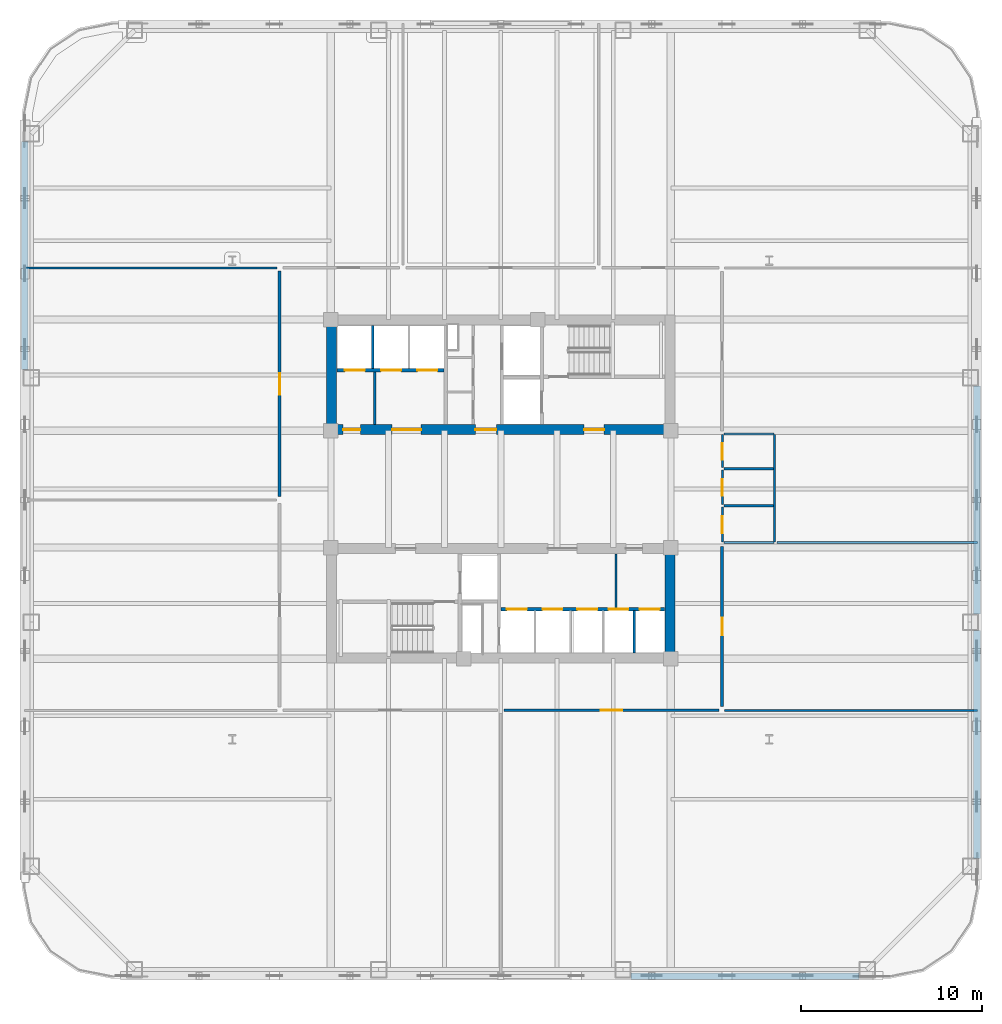
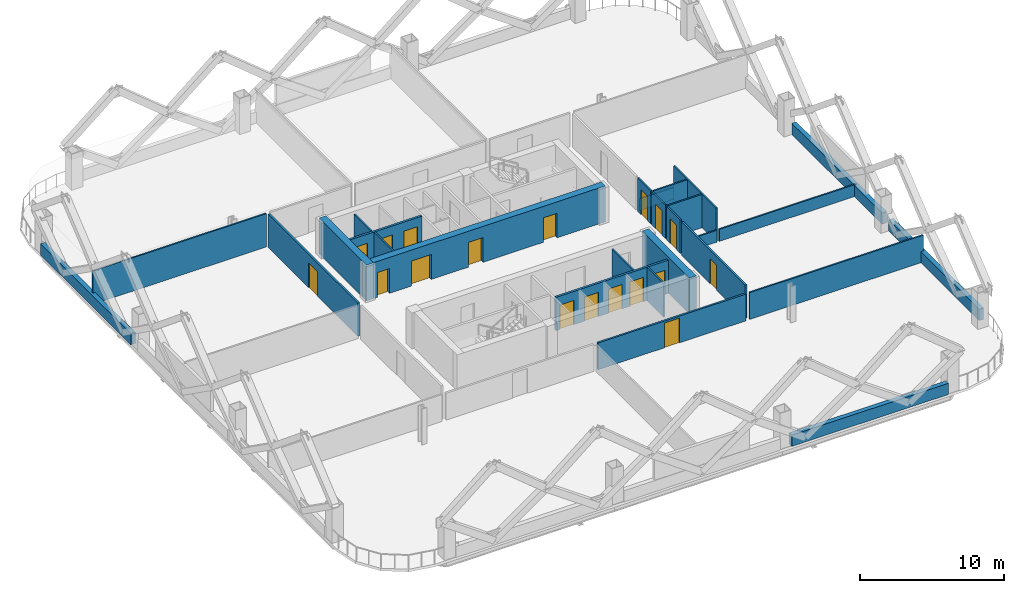
# One storey, part 5 of 12: 27 walls, 18 doors, 18 openings.
"""IFC4 building model written with IfcOpenShell, lengths in metres."""

import ifcopenshell
import ifcopenshell.guid

model = None  # the IFC model being written
_history = None  # IfcOwnerHistory: only IFC2X3 demands one
_inside = {}  # id of a spatial element -> (the spatial element, [elements in it])
_under = {}  # id of a project, library or spatial element -> (it, [spatial elements below it])
_declared = {}  # id of a project -> (the project, [libraries it declares])
_typed = {}  # id of a type object -> (the type object, [elements of that type])
_made_of = {}  # id of a material, layer set ... -> (it, [elements and type objects made of it])


def new_model(schema):
    """Start an empty IFC model of exactly this schema.

    Asked for "IFC4X3", IfcOpenShell would pick the latest addendum, in which some entities
    have other attributes; the version numbers below select the first issue.
    IFC2X3 requires an IfcOwnerHistory on every rooted entity: one is made here for all.
    """
    global model, _history
    if schema == "IFC4X3":
        model = ifcopenshell.file(schema_version=(4, 3, 0, 0))
    else:
        model = ifcopenshell.file(schema=schema)
    _inside.clear()
    _under.clear()
    _declared.clear()
    _typed.clear()
    _made_of.clear()
    _history = None
    if model.schema == "IFC2X3":
        org = make("IfcOrganization", Name="unknown")
        user = make(
            "IfcPersonAndOrganization",
            ThePerson=make("IfcPerson", FamilyName="unknown"),
            TheOrganization=org,
        )
        app = make(
            "IfcApplication",
            ApplicationDeveloper=org,
            Version="unknown",
            ApplicationFullName="unknown",
            ApplicationIdentifier="unknown",
        )
        _history = make(
            "IfcOwnerHistory",
            OwningUser=user,
            OwningApplication=app,
            ChangeAction="ADDED",
            CreationDate=0,
        )
    return model


def make(cls, **values):
    """One entity of the class cls with the attributes given. An attribute that is None is left unset."""
    return model.create_entity(
        cls, **{name: value for name, value in values.items() if value is not None}
    )


def rooted(cls, **values):
    """An entity with a GlobalId (a new one), such as an element, a storey or a relation."""
    return make(cls, GlobalId=ifcopenshell.guid.new(), OwnerHistory=_history, **values)


def si_unit(unit_type, name, prefix=None):
    """IfcSIUnit, for example si_unit("LENGTHUNIT", "METRE", prefix="MILLI")."""
    return make("IfcSIUnit", UnitType=unit_type, Prefix=prefix, Name=name)


def assignment(units):
    """IfcUnitAssignment: the units of a project."""
    return None if units is None else make("IfcUnitAssignment", Units=units)


def point(xyz):
    """IfcCartesianPoint."""
    return None if xyz is None else make("IfcCartesianPoint", Coordinates=xyz)


def direction(xyz):
    """IfcDirection."""
    return None if xyz is None else make("IfcDirection", DirectionRatios=xyz)


def frame(location, z_axis=None, x_axis=None):
    """IfcAxis2Placement3D, a coordinate frame: its origin and axes. An axis left out is left unset."""
    return make(
        "IfcAxis2Placement3D",
        Location=point(location),
        Axis=direction(z_axis),
        RefDirection=direction(x_axis),
    )


def frame_2d(location, x_axis=None):
    """IfcAxis2Placement2D, a coordinate frame in the plane: its origin and x axis."""
    return make(
        "IfcAxis2Placement2D", Location=point(location), RefDirection=direction(x_axis)
    )


def origin():
    """The frame at (0, 0, 0) with its axes left unset."""
    return frame((0.0, 0.0, 0.0))


def place(relative_to, where):
    """IfcLocalPlacement: puts the frame where relative to a parent placement (None: the world)."""
    return make(
        "IfcLocalPlacement", PlacementRelTo=relative_to, RelativePlacement=where
    )


def context(
    kind, dimensions, precision=None, world=None, true_north=None, identifier=None
):
    """IfcGeometricRepresentationContext, for example the 3D "Model" context."""
    return make(
        "IfcGeometricRepresentationContext",
        ContextIdentifier=identifier,
        ContextType=kind,
        CoordinateSpaceDimension=dimensions,
        Precision=precision,
        WorldCoordinateSystem=world,
        TrueNorth=true_north,
    )


def subcontext(parent, identifier, kind, view, scale=None):
    """IfcGeometricRepresentationSubContext, for example "Body" below "Model"."""
    return make(
        "IfcGeometricRepresentationSubContext",
        ContextIdentifier=identifier,
        ContextType=kind,
        ParentContext=parent,
        TargetScale=scale,
        TargetView=view,
    )


def project(units=None, contexts=None):
    """IfcProject with its units and contexts."""
    return rooted(
        "IfcProject",
        Name="project",
        RepresentationContexts=contexts,
        UnitsInContext=assignment(units),
    )


def spatial(cls, under=None, at=None, **own):
    """A site, building, storey or space (cls), placed at a placement, below another one or the project."""
    s = rooted(cls, ObjectPlacement=at, **own)
    if under is not None:
        _under.setdefault(under.id(), (under, []))[1].append(s)
    return s


def profile(cls, at=None, kind="AREA", **sizes):
    """A parametric profile (cls). Its sizes go by their IFC names, for example OverallWidth=200.0."""
    return make(cls, ProfileType=kind, Position=at, **sizes)


def rectangle(**sizes):
    """IfcRectangleProfileDef."""
    return profile("IfcRectangleProfileDef", **sizes)


def extrude(swept, where, along, depth):
    """IfcExtrudedAreaSolid: the profile swept, set in the frame where, extruded along a direction by depth."""
    return make(
        "IfcExtrudedAreaSolid",
        SweptArea=swept,
        Position=where,
        ExtrudedDirection=direction(along),
        Depth=depth,
    )


def shape(context_of_items, identifier, shape_type, items):
    """IfcShapeRepresentation: the items that make up one representation, for example the "Body"."""
    return make(
        "IfcShapeRepresentation",
        ContextOfItems=context_of_items,
        RepresentationIdentifier=identifier,
        RepresentationType=shape_type,
        Items=items,
    )


def material(Name=None, Category=None):
    """IfcMaterial."""
    return make("IfcMaterial", Name=Name, Category=Category)


def layer(
    of_material, thickness, ventilated=None, Name=None, Category=None, Priority=None
):
    """IfcMaterialLayer: one layer of a wall or slab, of a material (None: an air gap)."""
    return make(
        "IfcMaterialLayer",
        Material=of_material,
        LayerThickness=thickness,
        IsVentilated=ventilated,
        Name=Name,
        Category=Category,
        Priority=Priority,
    )


def layer_set(layers, Name=None):
    """IfcMaterialLayerSet."""
    return make("IfcMaterialLayerSet", MaterialLayers=layers, LayerSetName=Name)


def made_of(thing, what):
    """Note that an element or type object is made of a material, layer set ...; save() writes the relation."""
    if what is not None:
        _made_of.setdefault(what.id(), (what, []))[1].append(thing)
    return thing


def type_object(cls, material=None, **own):
    """A type object (cls), such as IfcWallType, which elements share."""
    return made_of(rooted(cls, **own), material)


def element(
    cls,
    number,
    at=None,
    inside=None,
    cuts=None,
    type_object=None,
    material=None,
    context=None,
    identifier="Body",
    shape_type=None,
    held_by="IfcProductDefinitionShape",
    body=None,
    shapes=None,
    **own,
):
    """One element of the class cls, such as IfcWall. Its Tag is "e" and its number.

    at: its placement. inside: the storey or other place that contains it. cuts: it is an
    opening in that element (IfcRelVoidsElement). A single representation is given by context,
    identifier, shape_type and body (its items); several are given by shapes. held_by: the class
    of the entity that holds the representations. save() writes the other relations.
    """
    e = rooted(cls, Tag="e%d" % number, ObjectPlacement=at, **own)
    if body is not None:
        shapes = [shape(context, identifier, shape_type, body)]
    if shapes is not None:
        e.Representation = make(held_by, Representations=shapes)
    if inside is not None:
        _inside.setdefault(inside.id(), (inside, []))[1].append(e)
    if cuts is not None:
        rooted(
            "IfcRelVoidsElement", RelatingBuildingElement=cuts, RelatedOpeningElement=e
        )
    if type_object is not None:
        _typed.setdefault(type_object.id(), (type_object, []))[1].append(e)
    return made_of(e, material)


def fill(opening, filler):
    """IfcRelFillsElement: the door or window that sits in an opening."""
    return rooted(
        "IfcRelFillsElement",
        RelatingOpeningElement=opening,
        RelatedBuildingElement=filler,
    )


def aggregate(whole, parts):
    """IfcRelAggregates: a whole, such as a stair, and the parts it consists of."""
    return rooted("IfcRelAggregates", RelatingObject=whole, RelatedObjects=parts)


def save(model, path):
    """Write the relations noted so far, then the file.

    IfcRelAggregates (storeys below a building ...), IfcRelContainedInSpatialStructure (elements
    in a storey), IfcRelDefinesByType, IfcRelAssociatesMaterial and IfcRelDeclares: one each for
    every whole, place, type object, material and project.
    """
    for whole, parts in _under.values():
        aggregate(whole, parts)
    for where, things in _inside.values():
        rooted(
            "IfcRelContainedInSpatialStructure",
            RelatedElements=things,
            RelatingStructure=where,
        )
    for kind, things in _typed.values():
        rooted("IfcRelDefinesByType", RelatedObjects=things, RelatingType=kind)
    for what, things in _made_of.values():
        rooted("IfcRelAssociatesMaterial", RelatedObjects=things, RelatingMaterial=what)
    for by, libraries in _declared.values():
        rooted("IfcRelDeclares", RelatingContext=by, RelatedDefinitions=libraries)
    model.write(path)


model = new_model("IFC4")

# Units and contexts
model_context = context("Model", 3, precision=1e-05, world=origin(), true_north=direction((0.0, 1.0)))
body_context = subcontext(model_context, "Body", "Model", "MODEL_VIEW")
ifc_project = project(units=[si_unit("LENGTHUNIT", "METRE"), si_unit("AREAUNIT", "SQUARE_METRE"), si_unit("VOLUMEUNIT", "CUBIC_METRE"), si_unit("PLANEANGLEUNIT", "RADIAN"), si_unit("MASSUNIT", "GRAM", prefix="KILO")], contexts=[model_context])

# Site, building, storey
site_placement = place(None, origin())
site = spatial("IfcSite", under=ifc_project, at=site_placement, CompositionType="ELEMENT")
building_placement = place(site_placement, origin())
building = spatial("IfcBuilding", under=site, at=building_placement, Name="Qhalaya Broadcast Tower", CompositionType="ELEMENT")
storey_placement = place(building_placement, frame((0.0, 0.0, 50.5)))
storey = spatial("IfcBuildingStorey", under=building, at=storey_placement, Name="L14", CompositionType="ELEMENT", Elevation=50.5)

# Wall, opening, door
ifc_material_1 = material(Name="Gypsum Acoustic Partition")
ifc_layer_1 = layer(ifc_material_1, 0.14990234375, Name="Gypsum Acoustic Partition")
ifc_layer_set_1 = layer_set([ifc_layer_1], Name="Gypsum Acoustic Partition")
wall_type_1 = type_object("IfcWallType", Name="Corridor & Tenancy Acoustic Partition 150", PredefinedType="PARTITIONING", material=ifc_layer_set_1)
wall_1_placement = place(storey_placement, frame((0.179931640625, -11.60009765625, 0.0), z_axis=(0.0, 0.0, 1.0), x_axis=(1.0, 0.0, 0.0)))
wall_1 = element("IfcWall", 1, at=wall_1_placement, inside=storey, type_object=wall_type_1, Name="L14 Partition Wall W-COR-05", PredefinedType="PARTITIONING", context=body_context, shape_type="SweptSolid", body=[
    extrude(rectangle(XDim=11.840087890625, YDim=0.14990234375, at=frame_2d((5.919921875, 0.0))), origin(), (0.0, 0.0, 1.0), 2.27392578125),
])
opening_1_placement = place(wall_1_placement, frame((5.320068359375, 0.0, 0.0)))
opening_1 = element("IfcOpeningElement", 2, at=opening_1_placement, cuts=wall_1, Name="Opening D11", PredefinedType="OPENING", context=body_context, shape_type="SweptSolid", body=[
    extrude(rectangle(XDim=1.199951171875, YDim=2.10009765625, at=frame_2d((0.60009765625, 1.050048828125))), frame((0.0, 0.0869140625, 0.0), z_axis=(0.0, -1.0, 0.0), x_axis=(1.0, 0.0, 0.0)), (0.0, 0.0, 1.0), 0.173828125),
])
ifc_material_2 = material(Name="Anodised Aluminium Glazed Door", Category="aluminium")
door_type_1 = type_object("IfcDoorType", Name="Conference, Boardroom & Studio Control Door D11", OperationType="NOTDEFINED", PredefinedType="DOOR", material=ifc_material_2)
door_1_placement = place(opening_1_placement, origin())
door_1 = element("IfcDoor", 3, at=door_1_placement, inside=storey, type_object=door_type_1, Name="L14 Door D-RM05", OperationType="SINGLE_SWING_RIGHT", OverallHeight=2.10009765625, OverallWidth=1.199951171875, PredefinedType="DOOR", context=body_context, shape_type="SweptSolid", body=[
    extrude(rectangle(XDim=1.199951171875, YDim=2.10009765625, at=frame_2d((0.60009765625, 1.050048828125))), frame((0.0, 0.02490234375, 0.0), z_axis=(0.0, -1.0, 0.0), x_axis=(1.0, 0.0, 0.0)), (0.0, 0.0, 1.0), 0.050048828125),
])
fill(opening_1, door_1)

wall_2_placement = place(storey_placement, frame((-12.199951171875, 0.179931640625, 0.0), z_axis=(0.0, 0.0, 1.0), x_axis=(0.0, 1.0, 0.0)))
wall_2 = element("IfcWall", 4, at=wall_2_placement, inside=storey, type_object=wall_type_1, Name="L14 Partition Wall W-COR-07", PredefinedType="PARTITIONING", context=body_context, shape_type="SweptSolid", body=[
    extrude(rectangle(XDim=12.440185546875, YDim=0.14990234375, at=frame_2d((6.22021484375, 0.0))), origin(), (0.0, 0.0, 1.0), 2.830078125),
])
opening_2_placement = place(wall_2_placement, frame((5.6201171875, 0.0, 0.0)))
opening_2 = element("IfcOpeningElement", 5, at=opening_2_placement, cuts=wall_2, Name="Opening D11", PredefinedType="OPENING", context=body_context, shape_type="SweptSolid", body=[
    extrude(rectangle(XDim=1.199951171875, YDim=2.10009765625, at=frame_2d((0.60009765625, 1.050048828125))), frame((0.0, 0.0869140625, 0.0), z_axis=(0.0, -1.0, 0.0), x_axis=(1.0, 0.0, 0.0)), (0.0, 0.0, 1.0), 0.173828125),
])
door_2_placement = place(opening_2_placement, origin())
door_2 = element("IfcDoor", 6, at=door_2_placement, inside=storey, type_object=door_type_1, Name="L14 Door D-RM07", OperationType="SINGLE_SWING_RIGHT", OverallHeight=2.10009765625, OverallWidth=1.199951171875, PredefinedType="DOOR", context=body_context, shape_type="SweptSolid", body=[
    extrude(rectangle(XDim=1.199951171875, YDim=2.10009765625, at=frame_2d((0.60009765625, 1.050048828125))), frame((0.0, 0.02490234375, 0.0), z_axis=(0.0, -1.0, 0.0), x_axis=(1.0, 0.0, 0.0)), (0.0, 0.0, 1.0), 0.050048828125),
])
fill(opening_2, door_2)

wall_3_placement = place(storey_placement, frame((12.199951171875, -11.39990234375, 0.0), z_axis=(0.0, 0.0, 1.0), x_axis=(0.0, 1.0, 0.0)))
wall_3 = element("IfcWall", 7, at=wall_3_placement, inside=storey, type_object=wall_type_1, Name="L14 Partition Wall W-COR-08", PredefinedType="PARTITIONING", context=body_context, shape_type="SweptSolid", body=[
    extrude(rectangle(XDim=8.83984375, YDim=0.14990234375, at=frame_2d((4.419921875, 0.0))), origin(), (0.0, 0.0, 1.0), 2.830078125),
])
opening_3_placement = place(wall_3_placement, frame((3.945068359375, 0.0, 0.0)))
opening_3 = element("IfcOpeningElement", 8, at=opening_3_placement, cuts=wall_3, Name="Opening D10", PredefinedType="OPENING", context=body_context, shape_type="SweptSolid", body=[
    extrude(rectangle(XDim=0.949951171875, YDim=2.10009765625, at=frame_2d((0.47509765625, 1.050048828125))), frame((0.0, 0.0869140625, 0.0), z_axis=(0.0, -1.0, 0.0), x_axis=(1.0, 0.0, 0.0)), (0.0, 0.0, 1.0), 0.173828125),
])
ifc_material_3 = material(Name="Timber Veneer Acoustic Door", Category="wood")
door_type_2 = type_object("IfcDoorType", Name="Cellular Office & Edit Booth Door D10", OperationType="NOTDEFINED", PredefinedType="DOOR", material=ifc_material_3)
door_3_placement = place(opening_3_placement, origin())
door_3 = element("IfcDoor", 9, at=door_3_placement, inside=storey, type_object=door_type_2, Name="L14 Door D-RM08", OperationType="SINGLE_SWING_LEFT", OverallHeight=2.10009765625, OverallWidth=0.949951171875, PredefinedType="DOOR", context=body_context, shape_type="SweptSolid", body=[
    extrude(rectangle(XDim=0.949951171875, YDim=2.10009765625, at=frame_2d((0.47509765625, 1.050048828125))), frame((0.0, 0.02490234375, 0.0), z_axis=(0.0, -1.0, 0.0), x_axis=(1.0, 0.0, 0.0)), (0.0, 0.0, 1.0), 0.050048828125),
])
fill(opening_3, door_3)

# Walls
ifc_material_4 = material(Name="Precast Concrete C40/50", Category="concrete")
ifc_layer_2 = layer(ifc_material_4, 0.360107421875, Name="Precast Concrete C40/50")
ifc_layer_set_2 = layer_set([ifc_layer_2], Name="Precast Concrete C40/50")
wall_type_2 = type_object("IfcWallType", Name="Insulated Precast Terracotta Exterior Wall 360", PredefinedType="SOLIDWALL", material=ifc_layer_set_2)
wall_4_placement = place(storey_placement, frame((19.761962890625, -26.260009765625, 0.0), z_axis=(0.0, 0.0, 1.0), x_axis=(-1.0, 0.0, 0.0)))
element("IfcWall", 10, at=wall_4_placement, inside=storey, type_object=wall_type_2, Name="L14 Exoskeleton Diagrid Infill Wall S1", PredefinedType="SOLIDWALL", context=body_context, shape_type="SweptSolid", body=[
    extrude(rectangle(XDim=12.57861328125, YDim=0.360107421875, at=frame_2d((6.289306640625, 0.0))), origin(), (0.0, 0.0, 1.0), 0.949951171875),
])
wall_5_placement = place(storey_placement, frame((26.260009765625, 6.283203125, 0.0), z_axis=(0.0, 0.0, 1.0), x_axis=(0.0, -1.0, 0.0)))
element("IfcWall", 11, at=wall_5_placement, inside=storey, type_object=wall_type_2, Name="L14 Exoskeleton Diagrid Infill Wall E2", PredefinedType="SOLIDWALL", context=body_context, shape_type="SweptSolid", body=[
    extrude(rectangle(XDim=12.56640625, YDim=0.360107421875, at=frame_2d((6.283203125, 0.0))), origin(), (0.0, 0.0, 1.0), 0.949951171875),
])
for number, where, z_axis, x_axis, name in (
    (12, (26.260009765625, -7.183349609375, 0.0), (0.0, 0.0, 1.0), (0.0, -1.0, 0.0), "L14 Exoskeleton Diagrid Infill Wall E3"),
    (13, (-26.260009765625, 7.183349609375, 0.0), (0.0, 0.0, 1.0), (0.0, 1.0, 0.0), "L14 Exoskeleton Diagrid Infill Wall W3"),
):
    element("IfcWall", number, at=place(storey_placement, frame(where, z_axis=z_axis, x_axis=x_axis)), inside=storey, type_object=wall_type_2, Name=name, PredefinedType="SOLIDWALL", context=body_context, shape_type="SweptSolid", body=[
        extrude(rectangle(XDim=12.57861328125, YDim=0.360107421875, at=frame_2d((6.289306640625, 0.0))), origin(), (0.0, 0.0, 1.0), 0.949951171875),
    ])

# Wall, openings, doors
ifc_material_5 = material(Name="Concrete C60/75", Category="concrete")
ifc_layer_3 = layer(ifc_material_5, 0.550048828125, Name="Concrete C60/75")
ifc_layer_set_3 = layer_set([ifc_layer_3], Name="Concrete C60/75")
wall_type_3 = type_object("IfcWallType", Name="Lower Split-Core Shear Wall 550", PredefinedType="SHEAR", material=ifc_layer_set_3)
wall_6_placement = place(storey_placement, frame((-9.60009765625, 3.875, 0.0), z_axis=(0.0, 0.0, 1.0), x_axis=(1.0, 0.0, 0.0)))
wall_6 = element("IfcWall", 14, at=wall_6_placement, inside=storey, type_object=wall_type_3, Name="L14 Split-Core Shear Wall CW-NS", PredefinedType="SHEAR", context=body_context, shape_type="SweptSolid", body=[
    extrude(rectangle(XDim=19.2001953125, YDim=0.550048828125, at=frame_2d((9.60009765625, 0.0))), origin(), (0.0, 0.0, 1.0), 3.050048828125),
])
opening_4_placement = place(wall_6_placement, frame((14.199951171875, 0.0, 0.0)))
opening_4 = element("IfcOpeningElement", 15, at=opening_4_placement, cuts=wall_6, Name="Opening D04", PredefinedType="OPENING", context=body_context, shape_type="SweptSolid", body=[
    extrude(rectangle(XDim=1.10009765625, YDim=2.080078125, at=frame_2d((0.550048828125, 1.0400390625))), frame((0.0, 0.287109375, 0.0), z_axis=(0.0, -1.0, 0.0), x_axis=(1.0, 0.0, 0.0)), (0.0, 0.0, 1.0), 0.573974609375),
])
opening_5_placement = place(wall_6_placement, frame((8.199951171875, 0.0, 0.0)))
opening_5 = element("IfcOpeningElement", 16, at=opening_5_placement, cuts=wall_6, Name="Opening D05", PredefinedType="OPENING", context=body_context, shape_type="SweptSolid", body=[
    extrude(rectangle(XDim=1.14990234375, YDim=2.10009765625, at=frame_2d((0.574951171875, 1.050048828125))), frame((0.0, 0.287109375, 0.0), z_axis=(0.0, -1.0, 0.0), x_axis=(1.0, 0.0, 0.0)), (0.0, 0.0, 1.0), 0.573974609375),
])
opening_6_placement = place(wall_6_placement, frame((0.89990234375, 0.0, 0.0)))
opening_6 = element("IfcOpeningElement", 17, at=opening_6_placement, cuts=wall_6, Name="Opening D10", PredefinedType="OPENING", context=body_context, shape_type="SweptSolid", body=[
    extrude(rectangle(XDim=0.949951171875, YDim=2.10009765625, at=frame_2d((0.47509765625, 1.050048828125))), frame((0.0, 0.287109375, 0.0), z_axis=(0.0, -1.0, 0.0), x_axis=(1.0, 0.0, 0.0)), (0.0, 0.0, 1.0), 0.573974609375),
])
opening_7_placement = place(wall_6_placement, frame((3.60009765625, 0.0, 0.0)))
opening_7 = element("IfcOpeningElement", 18, at=opening_7_placement, cuts=wall_6, Name="Opening D07", PredefinedType="OPENING", context=body_context, shape_type="SweptSolid", body=[
    extrude(rectangle(XDim=1.60009765625, YDim=2.1201171875, at=frame_2d((0.800048828125, 1.06005859375))), frame((0.0, 0.287109375, 0.0), z_axis=(0.0, -1.0, 0.0), x_axis=(1.0, 0.0, 0.0)), (0.0, 0.0, 1.0), 0.573974609375),
])
door_4_placement = place(opening_6_placement, origin())
door_4 = element("IfcDoor", 19, at=door_4_placement, inside=storey, type_object=door_type_2, Name="L14 Door D-NLPNT", OperationType="SINGLE_SWING_RIGHT", OverallHeight=2.10009765625, OverallWidth=0.949951171875, PredefinedType="DOOR", context=body_context, shape_type="SweptSolid", body=[
    extrude(rectangle(XDim=0.949951171875, YDim=2.10009765625, at=frame_2d((0.47509765625, 1.050048828125))), frame((0.0, 0.02490234375, 0.0), z_axis=(0.0, -1.0, 0.0), x_axis=(1.0, 0.0, 0.0)), (0.0, 0.0, 1.0), 0.050048828125),
])
fill(opening_6, door_4)
ifc_material_6 = material(Name="Fire-Rated Steel Door", Category="steel")
door_type_3 = type_object("IfcDoorType", Name="Firefighting Lobby Rated Door D04", OperationType="NOTDEFINED", PredefinedType="DOOR", material=ifc_material_6)
door_5_placement = place(opening_4_placement, origin())
door_5 = element("IfcDoor", 20, at=door_5_placement, inside=storey, type_object=door_type_3, Name="L14 Door D-NFF", OperationType="SINGLE_SWING_RIGHT", OverallHeight=2.080078125, OverallWidth=1.10009765625, PredefinedType="DOOR", context=body_context, shape_type="SweptSolid", body=[
    extrude(rectangle(XDim=1.10009765625, YDim=2.080078125, at=frame_2d((0.550048828125, 1.0400390625))), frame((0.0, 0.02490234375, 0.0), z_axis=(0.0, -1.0, 0.0), x_axis=(1.0, 0.0, 0.0)), (0.0, 0.0, 1.0), 0.050048828125),
])
fill(opening_4, door_5)
door_type_4 = type_object("IfcDoorType", Name="Passenger Lift Lobby Double Glazed Door D07", OperationType="DOUBLE_DOOR_SINGLE_SWING", PredefinedType="DOOR", material=ifc_material_2)
door_6_placement = place(opening_7_placement, origin())
door_6 = element("IfcDoor", 21, at=door_6_placement, inside=storey, type_object=door_type_4, Name="L14 Door D-NPLL", OperationType="DOUBLE_DOOR_SINGLE_SWING", OverallHeight=2.1201171875, OverallWidth=1.60009765625, PredefinedType="DOOR", context=body_context, shape_type="SweptSolid", body=[
    extrude(rectangle(XDim=1.60009765625, YDim=2.1201171875, at=frame_2d((0.800048828125, 1.06005859375))), frame((0.0, 0.02490234375, 0.0), z_axis=(0.0, -1.0, 0.0), x_axis=(1.0, 0.0, 0.0)), (0.0, 0.0, 1.0), 0.050048828125),
])
fill(opening_7, door_6)
door_type_5 = type_object("IfcDoorType", Name="Refuge & Plant Room Fire Door D05", OperationType="NOTDEFINED", PredefinedType="DOOR", material=ifc_material_6)
door_7_placement = place(opening_5_placement, origin())
door_7 = element("IfcDoor", 22, at=door_7_placement, inside=storey, type_object=door_type_5, Name="L14 Door D-NSVL", OperationType="SINGLE_SWING_LEFT", OverallHeight=2.10009765625, OverallWidth=1.14990234375, PredefinedType="DOOR", context=body_context, shape_type="SweptSolid", body=[
    extrude(rectangle(XDim=1.14990234375, YDim=2.10009765625, at=frame_2d((0.574951171875, 1.050048828125))), frame((0.0, 0.02490234375, 0.0), z_axis=(0.0, -1.0, 0.0), x_axis=(1.0, 0.0, 0.0)), (0.0, 0.0, 1.0), 0.050048828125),
])
fill(opening_5, door_7)

# Walls
wall_7_placement = place(storey_placement, frame((-9.324951171875, 3.60009765625, 0.0), z_axis=(0.0, 0.0, 1.0), x_axis=(0.0, 1.0, 0.0)))
element("IfcWall", 23, at=wall_7_placement, inside=storey, type_object=wall_type_3, Name="L14 Split-Core Shear Wall CW-NW", PredefinedType="SHEAR", context=body_context, shape_type="SweptSolid", body=[
    extrude(rectangle(XDim=6.599853515625, YDim=0.550048828125, at=frame_2d((3.2998046875, 0.0))), origin(), (0.0, 0.0, 1.0), 3.050048828125),
])
wall_8_placement = place(storey_placement, frame((9.324951171875, -9.0, 0.0), z_axis=(0.0, 0.0, 1.0), x_axis=(0.0, 1.0, 0.0)))
element("IfcWall", 24, at=wall_8_placement, inside=storey, type_object=wall_type_3, Name="L14 Split-Core Shear Wall CW-SE", PredefinedType="SHEAR", context=body_context, shape_type="SweptSolid", body=[
    extrude(rectangle(XDim=6.60009765625, YDim=0.550048828125, at=frame_2d((3.300048828125, 0.0))), origin(), (0.0, 0.0, 1.0), 3.050048828125),
])
ifc_layer_4 = layer(ifc_material_1, 0.1201171875, Name="Gypsum Acoustic Partition")
ifc_layer_set_4 = layer_set([ifc_layer_4], Name="Gypsum Acoustic Partition")
wall_type_4 = type_object("IfcWallType", Name="Office, Booth & Sanitary Partition 120", PredefinedType="PARTITIONING", material=ifc_layer_set_4)
wall_9_placement = place(storey_placement, frame((-7.06005859375, 7.25, 0.0), z_axis=(0.0, 0.0, 1.0), x_axis=(0.0, 1.0, 0.0)))
element("IfcWall", 25, at=wall_9_placement, inside=storey, type_object=wall_type_4, Name="L14 Partition Wall NCW-PD1", PredefinedType="PARTITIONING", context=body_context, shape_type="SweptSolid", body=[
    extrude(rectangle(XDim=2.3798828125, YDim=0.1201171875, at=frame_2d((1.18994140625, 0.0))), origin(), (0.0, 0.0, 1.0), 2.830078125),
])
wall_10_placement = place(storey_placement, frame((-6.949951171875, 4.169921875, 0.0), z_axis=(0.0, 0.0, 1.0), x_axis=(0.0, 1.0, 0.0)))
element("IfcWall", 26, at=wall_10_placement, inside=storey, type_object=wall_type_4, Name="L14 Partition Wall NCW-LKB", PredefinedType="PARTITIONING", context=body_context, shape_type="SweptSolid", body=[
    extrude(rectangle(XDim=2.89013671875, YDim=0.1201171875, at=frame_2d((1.445068359375, 0.0))), origin(), (0.0, 0.0, 1.0), 2.830078125),
])
wall_11_placement = place(storey_placement, frame((7.360107421875, -8.429931640625, 0.0), z_axis=(0.0, 0.0, 1.0), x_axis=(0.0, 1.0, 0.0)))
element("IfcWall", 27, at=wall_11_placement, inside=storey, type_object=wall_type_4, Name="L14 Partition Wall SCW-HD7", PredefinedType="PARTITIONING", context=body_context, shape_type="SweptSolid", body=[
    extrude(rectangle(XDim=2.329833984375, YDim=0.1201171875, at=frame_2d((1.1650390625, 0.0))), origin(), (0.0, 0.0, 1.0), 2.830078125),
])
wall_12_placement = place(storey_placement, frame((6.35009765625, -5.93994140625, 0.0), z_axis=(0.0, 0.0, 1.0), x_axis=(0.0, 1.0, 0.0)))
element("IfcWall", 28, at=wall_12_placement, inside=storey, type_object=wall_type_4, Name="L14 Partition Wall SCW-LKB", PredefinedType="PARTITIONING", context=body_context, shape_type="SweptSolid", body=[
    extrude(rectangle(XDim=2.969970703125, YDim=0.1201171875, at=frame_2d((1.48486328125, 0.0))), origin(), (0.0, 0.0, 1.0), 2.830078125),
])

# Wall, opening, door
wall_13_placement = place(storey_placement, frame((12.219970703125, -2.320068359375, 0.0), z_axis=(0.0, 0.0, 1.0), x_axis=(0.0, 1.0, 0.0)))
wall_13 = element("IfcWall", 29, at=wall_13_placement, inside=storey, type_object=wall_type_4, Name="L14 Partition Wall W-WCWA", PredefinedType="PARTITIONING", context=body_context, shape_type="SweptSolid", body=[
    extrude(rectangle(XDim=1.940185546875, YDim=0.1201171875, at=frame_2d((0.97021484375, 0.0))), origin(), (0.0, 0.0, 1.0), 2.830078125),
])
opening_8_placement = place(wall_13_placement, frame((0.4951171875, 0.0, 0.0)))
opening_8 = element("IfcOpeningElement", 30, at=opening_8_placement, cuts=wall_13, Name="Opening D12", PredefinedType="OPENING", context=body_context, shape_type="SweptSolid", body=[
    extrude(rectangle(XDim=0.919921875, YDim=2.10009765625, at=frame_2d((0.4599609375, 1.050048828125))), frame((0.0, 0.072021484375, 0.0), z_axis=(0.0, -1.0, 0.0), x_axis=(1.0, 0.0, 0.0)), (0.0, 0.0, 1.0), 0.14404296875),
])
door_type_6 = type_object("IfcDoorType", Name="Accessible WC & Restroom Door D12", OperationType="NOTDEFINED", PredefinedType="DOOR", material=ifc_material_3)
door_8_placement = place(opening_8_placement, origin())
door_8 = element("IfcDoor", 31, at=door_8_placement, inside=storey, type_object=door_type_6, Name="L14 Door D-WCA", OperationType="SINGLE_SWING_LEFT", OverallHeight=2.10009765625, OverallWidth=0.919921875, PredefinedType="DOOR", context=body_context, shape_type="SweptSolid", body=[
    extrude(rectangle(XDim=0.919921875, YDim=2.10009765625, at=frame_2d((0.4599609375, 1.050048828125))), frame((0.0, 0.02490234375, 0.0), z_axis=(0.0, -1.0, 0.0), x_axis=(1.0, 0.0, 0.0)), (0.0, 0.0, 1.0), 0.050048828125),
])
fill(opening_8, door_8)

wall_14_placement = place(storey_placement, frame((12.219970703125, -0.25, 0.0), z_axis=(0.0, 0.0, 1.0), x_axis=(0.0, 1.0, 0.0)))
wall_14 = element("IfcWall", 32, at=wall_14_placement, inside=storey, type_object=wall_type_4, Name="L14 Partition Wall W-WCWM", PredefinedType="PARTITIONING", context=body_context, shape_type="SweptSolid", body=[
    extrude(rectangle(XDim=1.89990234375, YDim=0.1201171875, at=frame_2d((0.949951171875, 0.0))), origin(), (0.0, 0.0, 1.0), 2.830078125),
])
opening_9_placement = place(wall_14_placement, frame((0.47509765625, 0.0, 0.0)))
opening_9 = element("IfcOpeningElement", 33, at=opening_9_placement, cuts=wall_14, Name="Opening D12", PredefinedType="OPENING", context=body_context, shape_type="SweptSolid", body=[
    extrude(rectangle(XDim=0.919921875, YDim=2.10009765625, at=frame_2d((0.4599609375, 1.050048828125))), frame((0.0, 0.072021484375, 0.0), z_axis=(0.0, -1.0, 0.0), x_axis=(1.0, 0.0, 0.0)), (0.0, 0.0, 1.0), 0.14404296875),
])
door_9_placement = place(opening_9_placement, origin())
door_9 = element("IfcDoor", 34, at=door_9_placement, inside=storey, type_object=door_type_6, Name="L14 Door D-WCM", OperationType="SINGLE_SWING_RIGHT", OverallHeight=2.10009765625, OverallWidth=0.919921875, PredefinedType="DOOR", context=body_context, shape_type="SweptSolid", body=[
    extrude(rectangle(XDim=0.919921875, YDim=2.10009765625, at=frame_2d((0.4599609375, 1.050048828125))), frame((0.0, 0.02490234375, 0.0), z_axis=(0.0, -1.0, 0.0), x_axis=(1.0, 0.0, 0.0)), (0.0, 0.0, 1.0), 0.050048828125),
])
fill(opening_9, door_9)

wall_15_placement = place(storey_placement, frame((12.219970703125, 1.780029296875, 0.0), z_axis=(0.0, 0.0, 1.0), x_axis=(0.0, 1.0, 0.0)))
wall_15 = element("IfcWall", 35, at=wall_15_placement, inside=storey, type_object=wall_type_4, Name="L14 Partition Wall W-WCWF", PredefinedType="PARTITIONING", context=body_context, shape_type="SweptSolid", body=[
    extrude(rectangle(XDim=1.830078125, YDim=0.1201171875, at=frame_2d((0.9150390625, 0.0))), origin(), (0.0, 0.0, 1.0), 2.830078125),
])
opening_10_placement = place(wall_15_placement, frame((0.43994140625, 0.0, 0.0)))
opening_10 = element("IfcOpeningElement", 36, at=opening_10_placement, cuts=wall_15, Name="Opening D12", PredefinedType="OPENING", context=body_context, shape_type="SweptSolid", body=[
    extrude(rectangle(XDim=0.919921875, YDim=2.10009765625, at=frame_2d((0.4599609375, 1.050048828125))), frame((0.0, 0.072021484375, 0.0), z_axis=(0.0, -1.0, 0.0), x_axis=(1.0, 0.0, 0.0)), (0.0, 0.0, 1.0), 0.14404296875),
])
door_10_placement = place(opening_10_placement, origin())
door_10 = element("IfcDoor", 37, at=door_10_placement, inside=storey, type_object=door_type_6, Name="L14 Door D-WCF", OperationType="SINGLE_SWING_LEFT", OverallHeight=2.10009765625, OverallWidth=0.919921875, PredefinedType="DOOR", context=body_context, shape_type="SweptSolid", body=[
    extrude(rectangle(XDim=0.919921875, YDim=2.10009765625, at=frame_2d((0.4599609375, 1.050048828125))), frame((0.0, 0.02490234375, 0.0), z_axis=(0.0, -1.0, 0.0), x_axis=(1.0, 0.0, 0.0)), (0.0, 0.0, 1.0), 0.050048828125),
])
fill(opening_10, door_10)

# Walls
wall_16_placement = place(storey_placement, frame((15.10009765625, -2.320068359375, 0.0), z_axis=(0.0, 0.0, 1.0), x_axis=(0.0, 1.0, 0.0)))
element("IfcWall", 38, at=wall_16_placement, inside=storey, type_object=wall_type_4, Name="L14 Partition Wall W-WCE", PredefinedType="PARTITIONING", context=body_context, shape_type="SweptSolid", body=[
    extrude(rectangle(XDim=5.93017578125, YDim=0.1201171875, at=frame_2d((2.965087890625, 0.0))), origin(), (0.0, 0.0, 1.0), 2.830078125),
])
for number, where, z_axis, x_axis, name in (
    (39, (12.31005859375, -2.35009765625, 0.0), (0.0, 0.0, 1.0), (1.0, 0.0, 0.0), "L14 Partition Wall W-WCS"),
    (40, (12.31005859375, 3.639892578125, 0.0), (0.0, 0.0, 1.0), (1.0, 0.0, 0.0), "L14 Partition Wall W-WCN"),
):
    element("IfcWall", number, at=place(storey_placement, frame(where, z_axis=z_axis, x_axis=x_axis)), inside=storey, type_object=wall_type_4, Name=name, PredefinedType="PARTITIONING", context=body_context, shape_type="SweptSolid", body=[
        extrude(rectangle(XDim=2.760009765625, YDim=0.1201171875, at=frame_2d((1.3798828125, 0.0))), origin(), (0.0, 0.0, 1.0), 1.010009765625),
    ])
for number, where, z_axis, x_axis, name in (
    (41, (12.31005859375, -0.320068359375, 0.0), (0.0, 0.0, 1.0), (1.0, 0.0, 0.0), "L14 Partition Wall W-WCD1"),
    (42, (12.31005859375, 1.719970703125, 0.0), (0.0, 0.0, 1.0), (1.0, 0.0, 0.0), "L14 Partition Wall W-WCD2"),
):
    element("IfcWall", number, at=place(storey_placement, frame(where, z_axis=z_axis, x_axis=x_axis)), inside=storey, type_object=wall_type_4, Name=name, PredefinedType="PARTITIONING", context=body_context, shape_type="SweptSolid", body=[
        extrude(rectangle(XDim=2.719970703125, YDim=0.1201171875, at=frame_2d((1.35986328125, 0.0))), origin(), (0.0, 0.0, 1.0), 2.830078125),
    ])
wall_17_placement = place(storey_placement, frame((-26.280029296875, 12.800048828125, 0.0), z_axis=(0.0, 0.0, 1.0), x_axis=(1.0, 0.0, 0.0)))
element("IfcWall", 43, at=wall_17_placement, inside=storey, type_object=wall_type_4, Name="L14 Partition Wall W-BNDW1", PredefinedType="PARTITIONING", context=body_context, shape_type="SweptSolid", body=[
    extrude(rectangle(XDim=13.93994140625, YDim=0.1201171875, at=frame_2d((6.969970703125, 0.0))), origin(), (0.0, 0.0, 1.0), 2.830078125),
])
wall_18_placement = place(storey_placement, frame((12.340087890625, -11.60009765625, 0.0), z_axis=(0.0, 0.0, 1.0), x_axis=(1.0, 0.0, 0.0)))
element("IfcWall", 44, at=wall_18_placement, inside=storey, type_object=wall_type_4, Name="L14 Partition Wall W-BNDE2", PredefinedType="PARTITIONING", context=body_context, shape_type="SweptSolid", body=[
    extrude(rectangle(XDim=13.93994140625, YDim=0.1201171875, at=frame_2d((6.969970703125, 0.0))), origin(), (0.0, 0.0, 1.0), 2.27392578125),
])
wall_19_placement = place(storey_placement, frame((15.239990234375, -2.35009765625, 0.0), z_axis=(0.0, 0.0, 1.0), x_axis=(1.0, 0.0, 0.0)))
element("IfcWall", 45, at=wall_19_placement, inside=storey, type_object=wall_type_4, Name="L14 Partition Wall W-DIVE-WC", PredefinedType="PARTITIONING", context=body_context, shape_type="SweptSolid", body=[
    extrude(rectangle(XDim=11.0400390625, YDim=0.1201171875, at=frame_2d((5.52001953125, 0.0))), origin(), (0.0, 0.0, 1.0), 1.010009765625),
])

# Wall, openings, doors
ifc_layer_5 = layer(ifc_material_1, 0.175048828125, Name="Gypsum Acoustic Partition")
ifc_layer_set_5 = layer_set([ifc_layer_5], Name="Gypsum Acoustic Partition")
wall_type_5 = type_object("IfcWallType", Name="Shaft & Riser Fire Partition 175", PredefinedType="PARTITIONING", material=ifc_layer_set_5)
wall_20_placement = place(storey_placement, frame((-9.030029296875, 7.159912109375, 0.0), z_axis=(0.0, 0.0, 1.0), x_axis=(1.0, 0.0, 0.0)))
wall_20 = element("IfcWall", 46, at=wall_20_placement, inside=storey, type_object=wall_type_5, Name="L14 Partition Wall NCW-PLB", PredefinedType="PARTITIONING", context=body_context, shape_type="SweptSolid", body=[
    extrude(rectangle(XDim=5.909912109375, YDim=0.175048828125, at=frame_2d((2.955078125, 0.0))), origin(), (0.0, 0.0, 1.0), 2.830078125),
])
opening_11_placement = place(wall_20_placement, frame((0.429931640625, 0.0, 0.0)))
opening_11 = element("IfcOpeningElement", 47, at=opening_11_placement, cuts=wall_20, Name="Opening LD1", PredefinedType="OPENING", context=body_context, shape_type="SweptSolid", body=[
    extrude(rectangle(XDim=1.10009765625, YDim=2.06005859375, at=frame_2d((0.550048828125, 1.030029296875))), frame((0.0, 0.099609375, 0.0), z_axis=(0.0, -1.0, 0.0), x_axis=(1.0, 0.0, 0.0)), (0.0, 0.0, 1.0), 0.198974609375),
])
opening_12_placement = place(wall_20_placement, frame((2.429931640625, 0.0, 0.0)))
opening_12 = element("IfcOpeningElement", 48, at=opening_12_placement, cuts=wall_20, Name="Opening LD1", PredefinedType="OPENING", context=body_context, shape_type="SweptSolid", body=[
    extrude(rectangle(XDim=1.10009765625, YDim=2.06005859375, at=frame_2d((0.550048828125, 1.030029296875))), frame((0.0, 0.099609375, 0.0), z_axis=(0.0, -1.0, 0.0), x_axis=(1.0, 0.0, 0.0)), (0.0, 0.0, 1.0), 0.198974609375),
])
opening_13_placement = place(wall_20_placement, frame((4.429931640625, 0.0, 0.0)))
opening_13 = element("IfcOpeningElement", 49, at=opening_13_placement, cuts=wall_20, Name="Opening LD1", PredefinedType="OPENING", context=body_context, shape_type="SweptSolid", body=[
    extrude(rectangle(XDim=1.10009765625, YDim=2.06005859375, at=frame_2d((0.550048828125, 1.030029296875))), frame((0.0, 0.099609375, 0.0), z_axis=(0.0, -1.0, 0.0), x_axis=(1.0, 0.0, 0.0)), (0.0, 0.0, 1.0), 0.198974609375),
])
ifc_material_7 = material(Name="Brushed Stainless Steel Lift Door", Category="steel")
door_type_7 = type_object("IfcDoorType", Name="Passenger Lift Sliding Landing Door LD1", OperationType="DOUBLE_DOOR_SLIDING", PredefinedType="DOOR", material=ifc_material_7)
door_11_placement = place(opening_11_placement, origin())
door_11 = element("IfcDoor", 50, at=door_11_placement, inside=storey, type_object=door_type_7, Name="L14 Door LD-P1", OperationType="DOUBLE_DOOR_SLIDING", OverallHeight=2.06005859375, OverallWidth=1.10009765625, PredefinedType="DOOR", context=body_context, shape_type="SweptSolid", body=[
    extrude(rectangle(XDim=1.10009765625, YDim=2.06005859375, at=frame_2d((0.550048828125, 1.030029296875))), frame((0.0, 0.02490234375, 0.0), z_axis=(0.0, -1.0, 0.0), x_axis=(1.0, 0.0, 0.0)), (0.0, 0.0, 1.0), 0.050048828125),
])
fill(opening_11, door_11)
door_12_placement = place(opening_12_placement, origin())
door_12 = element("IfcDoor", 51, at=door_12_placement, inside=storey, type_object=door_type_7, Name="L14 Door LD-P2", OperationType="DOUBLE_DOOR_SLIDING", OverallHeight=2.06005859375, OverallWidth=1.10009765625, PredefinedType="DOOR", context=body_context, shape_type="SweptSolid", body=[
    extrude(rectangle(XDim=1.10009765625, YDim=2.06005859375, at=frame_2d((0.550048828125, 1.030029296875))), frame((0.0, 0.02490234375, 0.0), z_axis=(0.0, -1.0, 0.0), x_axis=(1.0, 0.0, 0.0)), (0.0, 0.0, 1.0), 0.050048828125),
])
fill(opening_12, door_12)
door_13_placement = place(opening_13_placement, origin())
door_13 = element("IfcDoor", 52, at=door_13_placement, inside=storey, type_object=door_type_7, Name="L14 Door LD-P3", OperationType="DOUBLE_DOOR_SLIDING", OverallHeight=2.06005859375, OverallWidth=1.10009765625, PredefinedType="DOOR", context=body_context, shape_type="SweptSolid", body=[
    extrude(rectangle(XDim=1.10009765625, YDim=2.06005859375, at=frame_2d((0.550048828125, 1.030029296875))), frame((0.0, 0.02490234375, 0.0), z_axis=(0.0, -1.0, 0.0), x_axis=(1.0, 0.0, 0.0)), (0.0, 0.0, 1.0), 0.050048828125),
])
fill(opening_13, door_13)

wall_21_placement = place(storey_placement, frame((0.0, -6.02001953125, 0.0), z_axis=(0.0, 0.0, 1.0), x_axis=(1.0, 0.0, 0.0)))
wall_21 = element("IfcWall", 53, at=wall_21_placement, inside=storey, type_object=wall_type_5, Name="L14 Partition Wall SCW-SLB", PredefinedType="PARTITIONING", context=body_context, shape_type="SweptSolid", body=[
    extrude(rectangle(XDim=9.030029296875, YDim=0.175048828125, at=frame_2d((4.51513671875, 0.0))), origin(), (0.0, 0.0, 1.0), 2.830078125),
])
opening_14_placement = place(wall_21_placement, frame((0.330078125, 0.0, 0.0)))
opening_14 = element("IfcOpeningElement", 54, at=opening_14_placement, cuts=wall_21, Name="Opening LD1", PredefinedType="OPENING", context=body_context, shape_type="SweptSolid", body=[
    extrude(rectangle(XDim=1.10009765625, YDim=2.06005859375, at=frame_2d((0.550048828125, 1.030029296875))), frame((0.0, 0.099609375, 0.0), z_axis=(0.0, -1.0, 0.0), x_axis=(1.0, 0.0, 0.0)), (0.0, 0.0, 1.0), 0.198974609375),
])
opening_15_placement = place(wall_21_placement, frame((2.300048828125, 0.0, 0.0)))
opening_15 = element("IfcOpeningElement", 55, at=opening_15_placement, cuts=wall_21, Name="Opening LD1", PredefinedType="OPENING", context=body_context, shape_type="SweptSolid", body=[
    extrude(rectangle(XDim=1.10009765625, YDim=2.06005859375, at=frame_2d((0.550048828125, 1.030029296875))), frame((0.0, 0.099609375, 0.0), z_axis=(0.0, -1.0, 0.0), x_axis=(1.0, 0.0, 0.0)), (0.0, 0.0, 1.0), 0.198974609375),
])
opening_16_placement = place(wall_21_placement, frame((4.219970703125, 0.0, 0.0)))
opening_16 = element("IfcOpeningElement", 56, at=opening_16_placement, cuts=wall_21, Name="Opening LD1", PredefinedType="OPENING", context=body_context, shape_type="SweptSolid", body=[
    extrude(rectangle(XDim=1.10009765625, YDim=2.06005859375, at=frame_2d((0.550048828125, 1.030029296875))), frame((0.0, 0.099609375, 0.0), z_axis=(0.0, -1.0, 0.0), x_axis=(1.0, 0.0, 0.0)), (0.0, 0.0, 1.0), 0.198974609375),
])
opening_17_placement = place(wall_21_placement, frame((5.93994140625, 0.0, 0.0)))
opening_17 = element("IfcOpeningElement", 57, at=opening_17_placement, cuts=wall_21, Name="Opening LD1", PredefinedType="OPENING", context=body_context, shape_type="SweptSolid", body=[
    extrude(rectangle(XDim=1.10009765625, YDim=2.06005859375, at=frame_2d((0.550048828125, 1.030029296875))), frame((0.0, 0.099609375, 0.0), z_axis=(0.0, -1.0, 0.0), x_axis=(1.0, 0.0, 0.0)), (0.0, 0.0, 1.0), 0.198974609375),
])
opening_18_placement = place(wall_21_placement, frame((7.659912109375, 0.0, 0.0)))
opening_18 = element("IfcOpeningElement", 58, at=opening_18_placement, cuts=wall_21, Name="Opening LD1", PredefinedType="OPENING", context=body_context, shape_type="SweptSolid", body=[
    extrude(rectangle(XDim=1.10009765625, YDim=2.06005859375, at=frame_2d((0.550048828125, 1.030029296875))), frame((0.0, 0.099609375, 0.0), z_axis=(0.0, -1.0, 0.0), x_axis=(1.0, 0.0, 0.0)), (0.0, 0.0, 1.0), 0.198974609375),
])
door_14_placement = place(opening_14_placement, origin())
door_14 = element("IfcDoor", 59, at=door_14_placement, inside=storey, type_object=door_type_7, Name="L14 Door LD-P4", OperationType="DOUBLE_DOOR_SLIDING", OverallHeight=2.06005859375, OverallWidth=1.10009765625, PredefinedType="DOOR", context=body_context, shape_type="SweptSolid", body=[
    extrude(rectangle(XDim=1.10009765625, YDim=2.06005859375, at=frame_2d((0.550048828125, 1.030029296875))), frame((0.0, 0.02490234375, 0.0), z_axis=(0.0, -1.0, 0.0), x_axis=(1.0, 0.0, 0.0)), (0.0, 0.0, 1.0), 0.050048828125),
])
fill(opening_14, door_14)
door_15_placement = place(opening_15_placement, origin())
door_15 = element("IfcDoor", 60, at=door_15_placement, inside=storey, type_object=door_type_7, Name="L14 Door LD-P5", OperationType="DOUBLE_DOOR_SLIDING", OverallHeight=2.06005859375, OverallWidth=1.10009765625, PredefinedType="DOOR", context=body_context, shape_type="SweptSolid", body=[
    extrude(rectangle(XDim=1.10009765625, YDim=2.06005859375, at=frame_2d((0.550048828125, 1.030029296875))), frame((0.0, 0.02490234375, 0.0), z_axis=(0.0, -1.0, 0.0), x_axis=(1.0, 0.0, 0.0)), (0.0, 0.0, 1.0), 0.050048828125),
])
fill(opening_15, door_15)
door_16_placement = place(opening_16_placement, origin())
door_16 = element("IfcDoor", 61, at=door_16_placement, inside=storey, type_object=door_type_7, Name="L14 Door LD-P6", OperationType="DOUBLE_DOOR_SLIDING", OverallHeight=2.06005859375, OverallWidth=1.10009765625, PredefinedType="DOOR", context=body_context, shape_type="SweptSolid", body=[
    extrude(rectangle(XDim=1.10009765625, YDim=2.06005859375, at=frame_2d((0.550048828125, 1.030029296875))), frame((0.0, 0.02490234375, 0.0), z_axis=(0.0, -1.0, 0.0), x_axis=(1.0, 0.0, 0.0)), (0.0, 0.0, 1.0), 0.050048828125),
])
fill(opening_16, door_16)
door_17_placement = place(opening_17_placement, origin())
door_17 = element("IfcDoor", 62, at=door_17_placement, inside=storey, type_object=door_type_7, Name="L14 Door LD-P7", OperationType="DOUBLE_DOOR_SLIDING", OverallHeight=2.06005859375, OverallWidth=1.10009765625, PredefinedType="DOOR", context=body_context, shape_type="SweptSolid", body=[
    extrude(rectangle(XDim=1.10009765625, YDim=2.06005859375, at=frame_2d((0.550048828125, 1.030029296875))), frame((0.0, 0.02490234375, 0.0), z_axis=(0.0, -1.0, 0.0), x_axis=(1.0, 0.0, 0.0)), (0.0, 0.0, 1.0), 0.050048828125),
])
fill(opening_17, door_17)
door_18_placement = place(opening_18_placement, origin())
door_18 = element("IfcDoor", 63, at=door_18_placement, inside=storey, type_object=door_type_7, Name="L14 Door LD-P8", OperationType="DOUBLE_DOOR_SLIDING", OverallHeight=2.06005859375, OverallWidth=1.10009765625, PredefinedType="DOOR", context=body_context, shape_type="SweptSolid", body=[
    extrude(rectangle(XDim=1.10009765625, YDim=2.06005859375, at=frame_2d((0.550048828125, 1.030029296875))), frame((0.0, 0.02490234375, 0.0), z_axis=(0.0, -1.0, 0.0), x_axis=(1.0, 0.0, 0.0)), (0.0, 0.0, 1.0), 0.050048828125),
])
fill(opening_18, door_18)

save(model, "model.ifc")
